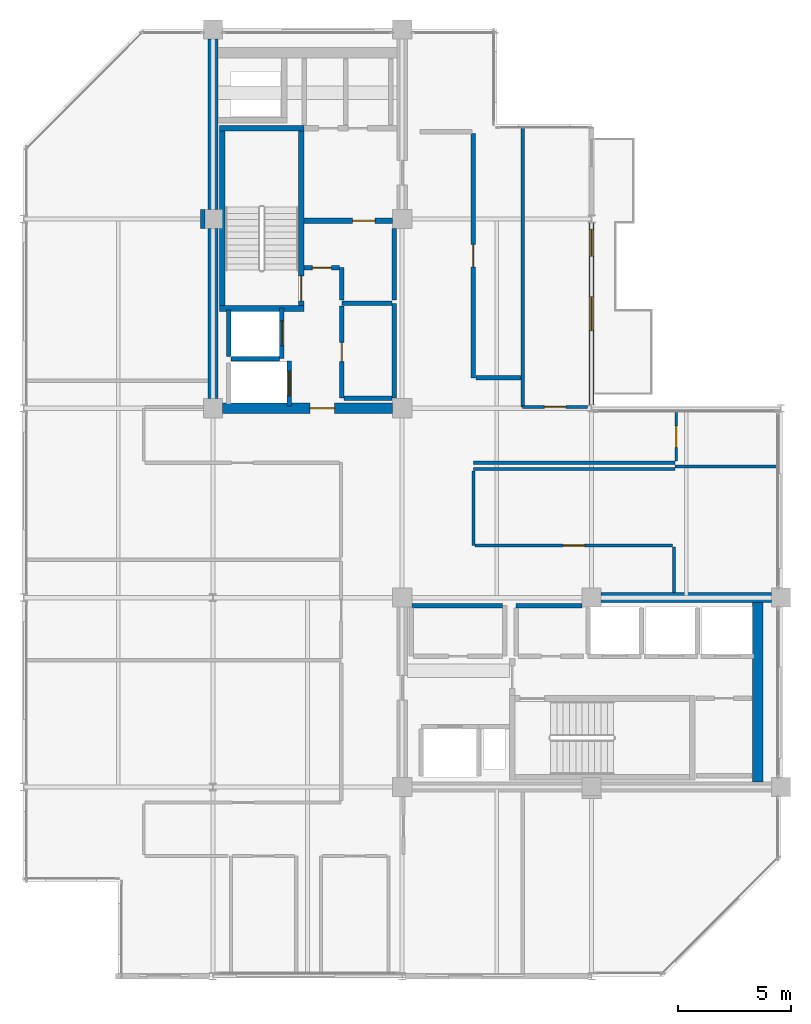
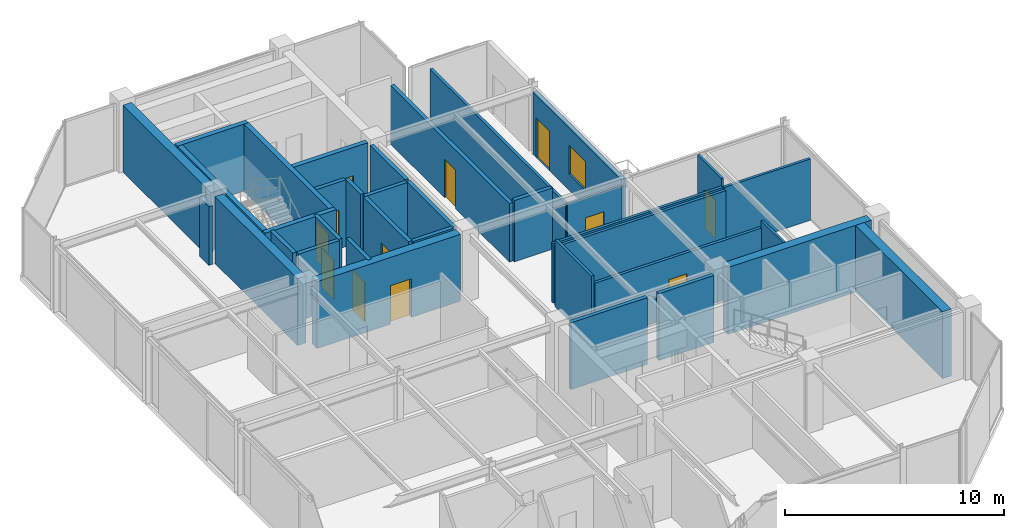
# One storey, part 21 of 24: 36 walls, 12 doors, 1 window, 13 openings.
"""IFC4 building model written with IfcOpenShell, lengths in metres."""

from ifc_helpers import new_model, si_unit, direction, frame, frame_2d, origin, place, context, subcontext, project, spatial, rectangle, extrude, material, layer, layer_set, type_object, element, fill, save


model = new_model("IFC4")

# Units and contexts
model_context = context("Model", 3, precision=1e-05, world=origin(), true_north=direction((0.0, 1.0)))
body_context = subcontext(model_context, "Body", "Model", "MODEL_VIEW")
ifc_project = project(units=[si_unit("LENGTHUNIT", "METRE"), si_unit("AREAUNIT", "SQUARE_METRE"), si_unit("VOLUMEUNIT", "CUBIC_METRE"), si_unit("PLANEANGLEUNIT", "RADIAN"), si_unit("MASSUNIT", "GRAM", prefix="KILO")], contexts=[model_context])

# Site, building, storey
site_placement = place(None, origin())
site = spatial("IfcSite", under=ifc_project, at=site_placement, CompositionType="ELEMENT")
building_placement = place(site_placement, origin())
building = spatial("IfcBuilding", under=site, at=building_placement, Name="Nerrivon Quay Data Exchange", CompositionType="ELEMENT")
storey_placement = place(building_placement, frame((0.0, 0.0, 298.199951171875)))
storey = spatial("IfcBuildingStorey", under=building, at=storey_placement, Name="L71", CompositionType="ELEMENT", Elevation=298.199951171875)

# Wall, openings, door, window
ifc_material_1 = material(Name="Architectural terracotta precast concrete N50 (50 MPa)", Category="masonry")
ifc_layer_1 = layer(ifc_material_1, 0.239990234375)
ifc_layer_set_1 = layer_set([ifc_layer_1], Name="Architectural terracotta precast concrete N50 (50 MPa)")
wall_type_1 = type_object("IfcWallType", Name="EW-PREC-240", PredefinedType="STANDARD", material=ifc_layer_set_1)
wall_1_placement = place(storey_placement, frame((25.199951171875, 33.4365234375, 0.0), z_axis=(0.0, 0.0, 1.0), x_axis=(0.0, -1.0, 0.0)))
wall_1 = element("IfcWall", 1, at=wall_1_placement, inside=storey, type_object=wall_type_1, Name="L71 Terrace Host Wall 20", PredefinedType="STANDARD", context=body_context, shape_type="SweptSolid", body=[
    extrude(rectangle(XDim=8.072998046875, YDim=0.239990234375, at=frame_2d((4.03662109375, 0.0))), origin(), (0.0, 0.0, 1.0), 3.47509765625),
])
opening_1_placement = place(wall_1_placement, frame((0.300048828125, 0.0, 0.0)))
opening_1 = element("IfcOpeningElement", 2, at=opening_1_placement, cuts=wall_1, Name="Opening TD1", PredefinedType="OPENING", context=body_context, shape_type="SweptSolid", body=[
    extrude(rectangle(XDim=1.199951171875, YDim=2.199951171875, at=frame_2d((0.60009765625, 1.10009765625))), frame((0.0, 0.1298828125, 0.0), z_axis=(0.0, -1.0, 0.0), x_axis=(1.0, 0.0, 0.0)), (0.0, 0.0, 1.0), 0.260009765625),
])
opening_2_placement = place(wall_1_placement, frame((3.28662109375, 0.0, 0.89990234375)))
opening_2 = element("IfcOpeningElement", 3, at=opening_2_placement, cuts=wall_1, Name="Opening WN4", PredefinedType="OPENING", context=body_context, shape_type="SweptSolid", body=[
    extrude(rectangle(XDim=1.5, YDim=1.60009765625, at=frame_2d((0.75, 0.800048828125))), frame((0.0, 0.1298828125, 0.0), z_axis=(0.0, -1.0, 0.0), x_axis=(1.0, 0.0, 0.0)), (0.0, 0.0, 1.0), 0.260009765625),
])
ifc_material_2 = material(Name="Double-glazed low-E solar control glass", Category="glass")
door_type_1 = type_object("IfcDoorType", Name="DR-TERR-1200x2200", OperationType="NOTDEFINED", PredefinedType="DOOR", material=ifc_material_2)
door_1_placement = place(opening_1_placement, origin())
door_1 = element("IfcDoor", 4, at=door_1_placement, inside=storey, type_object=door_type_1, Name="L71 Outdoor Terrace Access Door 20", OperationType="SINGLE_SWING_LEFT", OverallHeight=2.199951171875, OverallWidth=1.199951171875, PredefinedType="DOOR", context=body_context, shape_type="SweptSolid", body=[
    extrude(rectangle(XDim=1.199951171875, YDim=2.199951171875, at=frame_2d((0.60009765625, 1.10009765625))), frame((0.0, 0.02490234375, 0.0), z_axis=(0.0, -1.0, 0.0), x_axis=(1.0, 0.0, 0.0)), (0.0, 0.0, 1.0), 0.050048828125),
])
fill(opening_1, door_1)
window_type = type_object("IfcWindowType", Name="WIN-W4-1500x1600", PartitioningType="SINGLE_PANEL", PredefinedType="WINDOW", material=ifc_material_2)
window_placement = place(opening_2_placement, origin())
window = element("IfcWindow", 5, at=window_placement, inside=storey, type_object=window_type, Name="L71 Terrace Side Window 20", OverallHeight=1.60009765625, OverallWidth=1.5, PartitioningType="SINGLE_PANEL", PredefinedType="WINDOW", context=body_context, shape_type="SweptSolid", body=[
    extrude(rectangle(XDim=1.5, YDim=1.60009765625, at=frame_2d((0.75, 0.800048828125))), frame((0.0, 0.030029296875, 0.0), z_axis=(0.0, -1.0, 0.0), x_axis=(1.0, 0.0, 0.0)), (0.0, 0.0, 1.0), 0.06005859375),
])
fill(opening_2, window)

# Walls
ifc_material_3 = material(Name="Concrete N50 (50 MPa)", Category="concrete")
ifc_layer_2 = layer(ifc_material_3, 0.449951171875)
ifc_layer_set_2 = layer_set([ifc_layer_2], Name="Concrete N50 (50 MPa)")
wall_type_2 = type_object("IfcWallType", Name="WALL-CW-550", PredefinedType="SHEAR", material=ifc_layer_set_2)
for number, where, z_axis, x_axis, name in (
    (6, (8.39990234375, 25.625, 0.0), (0.0, 0.0, 1.0), (0.0, 1.0, 0.0), "L71 West Split-Core Shear Wall WCW-W1"),
    (7, (8.39990234375, 34.02490234375, 0.0), (0.0, 0.0, 1.0), (0.0, 1.0, 0.0), "L71 West Split-Core Shear Wall WCW-W2"),
):
    element("IfcWall", number, at=place(storey_placement, frame(where, z_axis=z_axis, x_axis=x_axis)), inside=storey, type_object=wall_type_2, Name=name, PredefinedType="SHEAR", context=body_context, shape_type="SweptSolid", body=[
        extrude(rectangle(XDim=7.550048828125, YDim=0.449951171875, at=frame_2d((3.77490234375, 0.0))), origin(), (0.0, 0.0, 1.0), 3.72509765625),
    ])

# Wall, opening, door
wall_2_placement = place(storey_placement, frame((8.824951171875, 25.199951171875, 0.0), z_axis=(0.0, 0.0, 1.0), x_axis=(1.0, 0.0, 0.0)))
wall_2 = element("IfcWall", 8, at=wall_2_placement, inside=storey, type_object=wall_type_2, Name="L71 West Split-Core Shear Wall WCW-S1", PredefinedType="SHEAR", context=body_context, shape_type="SweptSolid", body=[
    extrude(rectangle(XDim=7.550048828125, YDim=0.449951171875, at=frame_2d((3.77490234375, 0.0))), origin(), (0.0, 0.0, 1.0), 3.72509765625),
])
opening_3_placement = place(wall_2_placement, frame((3.875, 0.0, 0.0)))
opening_3 = element("IfcOpeningElement", 9, at=opening_3_placement, cuts=wall_2, Name="Opening FD-120", PredefinedType="OPENING", context=body_context, shape_type="SweptSolid", body=[
    extrude(rectangle(XDim=1.10009765625, YDim=2.14990234375, at=frame_2d((0.550048828125, 1.074951171875))), frame((0.0, 0.23486328125, 0.0), z_axis=(0.0, -1.0, 0.0), x_axis=(1.0, 0.0, 0.0)), (0.0, 0.0, 1.0), 0.469970703125),
])
ifc_material_4 = material(Name="Powder-coated galvanized steel sheet", Category="steel")
door_type_2 = type_object("IfcDoorType", Name="DR-FD120-1100", OperationType="NOTDEFINED", PredefinedType="DOOR", material=ifc_material_4)
door_2_placement = place(opening_3_placement, origin())
door_2 = element("IfcDoor", 10, at=door_2_placement, inside=storey, type_object=door_type_2, Name="L71 West Core Lobby Fire Door", OperationType="SINGLE_SWING_LEFT", OverallHeight=2.14990234375, OverallWidth=1.10009765625, PredefinedType="DOOR", context=body_context, shape_type="SweptSolid", body=[
    extrude(rectangle(XDim=1.10009765625, YDim=2.14990234375, at=frame_2d((0.550048828125, 1.074951171875))), frame((0.0, 0.02490234375, 0.0), z_axis=(0.0, -1.0, 0.0), x_axis=(1.0, 0.0, 0.0)), (0.0, 0.0, 1.0), 0.050048828125),
])
fill(opening_3, door_2)

# Walls
wall_3_placement = place(storey_placement, frame((32.574951171875, 8.625, 0.0), z_axis=(0.0, 0.0, 1.0), x_axis=(0.0, 1.0, 0.0)))
element("IfcWall", 11, at=wall_3_placement, inside=storey, type_object=wall_type_2, Name="L71 East Split-Core Shear Wall ECW-E1", PredefinedType="SHEAR", context=body_context, shape_type="SweptSolid", body=[
    extrude(rectangle(XDim=7.949951171875, YDim=0.449951171875, at=frame_2d((3.97509765625, 0.0))), origin(), (0.0, 0.0, 1.0), 3.72509765625),
])
wall_4_placement = place(storey_placement, frame((25.625, 16.800048828125, 0.0), z_axis=(0.0, 0.0, 1.0), x_axis=(1.0, 0.0, 0.0)))
element("IfcWall", 12, at=wall_4_placement, inside=storey, type_object=wall_type_2, Name="L71 East Split-Core Shear Wall ECW-N1", PredefinedType="SHEAR", context=body_context, shape_type="SweptSolid", body=[
    extrude(rectangle(XDim=7.550048828125, YDim=0.449951171875, at=frame_2d((3.77490234375, 0.0))), origin(), (0.0, 0.0, 1.0), 3.72509765625),
])

# Wall, opening, door
ifc_material_5 = material(Name="Gypsum plasterboard on cold-formed framing", Category="gypsum")
ifc_layer_3 = layer(ifc_material_5, 0.199951171875)
ifc_layer_set_3 = layer_set([ifc_layer_3], Name="Gypsum plasterboard on cold-formed framing")
wall_type_3 = type_object("IfcWallType", Name="WALL-FW-200", PredefinedType="PARTITIONING", material=ifc_layer_set_3)
wall_5_placement = place(storey_placement, frame((11.449951171875, 27.39990234375, 0.0), z_axis=(0.0, 0.0, 1.0), x_axis=(0.0, 1.0, 0.0)))
wall_5 = element("IfcWall", 13, at=wall_5_placement, inside=storey, type_object=wall_type_3, Name="L71 Lift Front Wall FFL-1", PredefinedType="PARTITIONING", context=body_context, shape_type="SweptSolid", body=[
    extrude(rectangle(XDim=2.25, YDim=0.199951171875, at=frame_2d((1.125, 0.0))), origin(), (0.0, 0.0, 1.0), 3.72509765625),
])
opening_4_placement = place(wall_5_placement, frame((0.574951171875, 0.0, 0.0)))
opening_4 = element("IfcOpeningElement", 14, at=opening_4_placement, cuts=wall_5, Name="Opening LD-120", PredefinedType="OPENING", context=body_context, shape_type="SweptSolid", body=[
    extrude(rectangle(XDim=1.10009765625, YDim=2.199951171875, at=frame_2d((0.550048828125, 1.10009765625))), frame((0.0, 0.10986328125, 0.0), z_axis=(0.0, -1.0, 0.0), x_axis=(1.0, 0.0, 0.0)), (0.0, 0.0, 1.0), 0.219970703125),
])
door_type_3 = type_object("IfcDoorType", Name="DR-LIFT-LD120", OperationType="DOUBLE_DOOR_SLIDING", PredefinedType="DOOR", material=ifc_material_4)
door_3_placement = place(opening_4_placement, origin())
door_3 = element("IfcDoor", 15, at=door_3_placement, inside=storey, type_object=door_type_3, Name="L71 Lift Landing Sliding Door FFL-1", OperationType="DOUBLE_DOOR_SLIDING", OverallHeight=2.199951171875, OverallWidth=1.10009765625, PredefinedType="DOOR", context=body_context, shape_type="SweptSolid", body=[
    extrude(rectangle(XDim=1.10009765625, YDim=2.199951171875, at=frame_2d((0.550048828125, 1.10009765625))), frame((0.0, 0.02490234375, 0.0), z_axis=(0.0, -1.0, 0.0), x_axis=(1.0, 0.0, 0.0)), (0.0, 0.0, 1.0), 0.050048828125),
])
fill(opening_4, door_3)

# Walls
wall_6_placement = place(storey_placement, frame((9.10009765625, 27.5, 0.0), z_axis=(0.0, 0.0, 1.0), x_axis=(0.0, 1.0, 0.0)))
element("IfcWall", 16, at=wall_6_placement, inside=storey, type_object=wall_type_3, Name="L71 Lift Shaft Wall FFL-1 WEST", PredefinedType="PARTITIONING", context=body_context, shape_type="SweptSolid", body=[
    extrude(rectangle(XDim=2.050048828125, YDim=0.199951171875, at=frame_2d((1.02490234375, 0.0))), origin(), (0.0, 0.0, 1.0), 3.72509765625),
])
wall_7_placement = place(storey_placement, frame((9.199951171875, 27.39990234375, 0.0), z_axis=(0.0, 0.0, 1.0), x_axis=(1.0, 0.0, 0.0)))
element("IfcWall", 17, at=wall_7_placement, inside=storey, type_object=wall_type_3, Name="L71 Lift Shaft Wall FFL-1 SOUTH", PredefinedType="PARTITIONING", context=body_context, shape_type="SweptSolid", body=[
    extrude(rectangle(XDim=2.150146484375, YDim=0.199951171875, at=frame_2d((1.0751953125, 0.0))), origin(), (0.0, 0.0, 1.0), 3.72509765625),
])

# Wall, opening, door
wall_8_placement = place(storey_placement, frame((11.800048828125, 25.300048828125, 0.0), z_axis=(0.0, 0.0, 1.0), x_axis=(0.0, 1.0, 0.0)))
wall_8 = element("IfcWall", 18, at=wall_8_placement, inside=storey, type_object=wall_type_3, Name="L71 Lift Front Wall SVL-1", PredefinedType="PARTITIONING", context=body_context, shape_type="SweptSolid", body=[
    extrude(rectangle(XDim=2.0, YDim=0.199951171875, at=frame_2d((1.0, 0.0))), origin(), (0.0, 0.0, 1.0), 3.72509765625),
])
opening_5_placement = place(wall_8_placement, frame((0.449951171875, 0.0, 0.0)))
opening_5 = element("IfcOpeningElement", 19, at=opening_5_placement, cuts=wall_8, Name="Opening LD-120", PredefinedType="OPENING", context=body_context, shape_type="SweptSolid", body=[
    extrude(rectangle(XDim=1.10009765625, YDim=2.199951171875, at=frame_2d((0.550048828125, 1.10009765625))), frame((0.0, 0.10986328125, 0.0), z_axis=(0.0, -1.0, 0.0), x_axis=(1.0, 0.0, 0.0)), (0.0, 0.0, 1.0), 0.219970703125),
])
door_4_placement = place(opening_5_placement, origin())
door_4 = element("IfcDoor", 20, at=door_4_placement, inside=storey, type_object=door_type_3, Name="L71 Lift Landing Sliding Door SVL-1", OperationType="DOUBLE_DOOR_SLIDING", OverallHeight=2.199951171875, OverallWidth=1.10009765625, PredefinedType="DOOR", context=body_context, shape_type="SweptSolid", body=[
    extrude(rectangle(XDim=1.10009765625, YDim=2.199951171875, at=frame_2d((0.550048828125, 1.10009765625))), frame((0.0, 0.02490234375, 0.0), z_axis=(0.0, -1.0, 0.0), x_axis=(1.0, 0.0, 0.0)), (0.0, 0.0, 1.0), 0.050048828125),
])
fill(opening_5, door_4)

# Walls
wall_9_placement = place(storey_placement, frame((16.449951171875, 25.64990234375, 0.0), z_axis=(0.0, 0.0, 1.0), x_axis=(0.0, 1.0, 0.0)))
element("IfcWall", 21, at=wall_9_placement, inside=storey, type_object=wall_type_3, Name="L71 Partition Telemetry Hub Closet", PredefinedType="PARTITIONING", context=body_context, shape_type="SweptSolid", body=[
    extrude(rectangle(XDim=4.2001953125, YDim=0.199951171875, at=frame_2d((2.10009765625, 0.0))), origin(), (0.0, 0.0, 1.0), 3.72509765625),
])
wall_10_placement = place(storey_placement, frame((16.345947265625, 29.85009765625, 0.0), z_axis=(0.0, 0.0, 1.0), x_axis=(-1.0, 0.0, 0.0)))
element("IfcWall", 22, at=wall_10_placement, inside=storey, type_object=wall_type_3, Name="L71 Partition Telemetry Hub Closet", PredefinedType="PARTITIONING", context=body_context, shape_type="SweptSolid", body=[
    extrude(rectangle(XDim=2.225830078125, YDim=0.199951171875, at=frame_2d((1.11279296875, 0.0))), origin(), (0.0, 0.0, 1.0), 3.72509765625),
])

# Wall, opening, door
wall_11_placement = place(storey_placement, frame((14.1201171875, 29.74609375, 0.0), z_axis=(0.0, 0.0, 1.0), x_axis=(0.0, -1.0, 0.0)))
wall_11 = element("IfcWall", 23, at=wall_11_placement, inside=storey, type_object=wall_type_3, Name="L71 Partition Telemetry Hub Closet", PredefinedType="PARTITIONING", context=body_context, shape_type="SweptSolid", body=[
    extrude(rectangle(XDim=4.09619140625, YDim=0.199951171875, at=frame_2d((2.048095703125, 0.0))), origin(), (0.0, 0.0, 1.0), 3.72509765625),
])
opening_6_placement = place(wall_11_placement, frame((1.623046875, 0.0, 0.0)))
opening_6 = element("IfcOpeningElement", 24, at=opening_6_placement, cuts=wall_11, Name="Opening FD-60S", PredefinedType="OPENING", context=body_context, shape_type="SweptSolid", body=[
    extrude(rectangle(XDim=0.85009765625, YDim=2.14990234375, at=frame_2d((0.425048828125, 1.074951171875))), frame((0.0, 0.10986328125, 0.0), z_axis=(0.0, -1.0, 0.0), x_axis=(1.0, 0.0, 0.0)), (0.0, 0.0, 1.0), 0.219970703125),
])
ifc_material_6 = material(Name="Engineered hardwood timber", Category="wood")
door_type_4 = type_object("IfcDoorType", Name="DR-FD60-850", OperationType="NOTDEFINED", PredefinedType="DOOR", material=ifc_material_6)
door_5_placement = place(opening_6_placement, origin())
door_5 = element("IfcDoor", 25, at=door_5_placement, inside=storey, type_object=door_type_4, Name="L71 Door Telemetry Hub Closet", OperationType="SINGLE_SWING_LEFT", OverallHeight=2.14990234375, OverallWidth=0.85009765625, PredefinedType="DOOR", context=body_context, shape_type="SweptSolid", body=[
    extrude(rectangle(XDim=0.85009765625, YDim=2.14990234375, at=frame_2d((0.425048828125, 1.074951171875))), frame((0.0, 0.02490234375, 0.0), z_axis=(0.0, -1.0, 0.0), x_axis=(1.0, 0.0, 0.0)), (0.0, 0.0, 1.0), 0.050048828125),
])
fill(opening_6, door_5)

# Walls
wall_12_placement = place(storey_placement, frame((14.22412109375, 25.64990234375, 0.0), z_axis=(0.0, 0.0, 1.0), x_axis=(1.0, 0.0, 0.0)))
element("IfcWall", 26, at=wall_12_placement, inside=storey, type_object=wall_type_3, Name="L71 Partition Telemetry Hub Closet", PredefinedType="PARTITIONING", context=body_context, shape_type="SweptSolid", body=[
    extrude(rectangle(XDim=2.121826171875, YDim=0.199951171875, at=frame_2d((1.06103515625, 0.0))), origin(), (0.0, 0.0, 1.0), 3.72509765625),
])
wall_13_placement = place(storey_placement, frame((14.1201171875, 31.43994140625, 0.0), z_axis=(0.0, 0.0, 1.0), x_axis=(0.0, -1.0, 0.0)))
element("IfcWall", 27, at=wall_13_placement, inside=storey, type_object=wall_type_3, Name="L71 Partition Core Equipment Store", PredefinedType="PARTITIONING", context=body_context, shape_type="SweptSolid", body=[
    extrude(rectangle(XDim=1.43994140625, YDim=0.199951171875, at=frame_2d((0.719970703125, 0.0))), origin(), (0.0, 0.0, 1.0), 3.72509765625),
])
wall_14_placement = place(storey_placement, frame((16.449951171875, 30.0, 0.0), z_axis=(0.0, 0.0, 1.0), x_axis=(0.0, 1.0, 0.0)))
element("IfcWall", 28, at=wall_14_placement, inside=storey, type_object=wall_type_3, Name="L71 Partition Core Equipment Store", PredefinedType="PARTITIONING", context=body_context, shape_type="SweptSolid", body=[
    extrude(rectangle(XDim=3.169921875, YDim=0.199951171875, at=frame_2d((1.5849609375, 0.0))), origin(), (0.0, 0.0, 1.0), 3.72509765625),
])

# Wall, opening, door
wall_15_placement = place(storey_placement, frame((12.4541015625, 31.43994140625, 0.0), z_axis=(0.0, 0.0, 1.0), x_axis=(1.0, 0.0, 0.0)))
wall_15 = element("IfcWall", 29, at=wall_15_placement, inside=storey, type_object=wall_type_3, Name="L71 Partition Core Equipment Store", PredefinedType="PARTITIONING", context=body_context, shape_type="SweptSolid", body=[
    extrude(rectangle(XDim=1.56201171875, YDim=0.199951171875, at=frame_2d((0.781005859375, 0.0))), origin(), (0.0, 0.0, 1.0), 3.72509765625),
])
opening_7_placement = place(wall_15_placement, frame((0.35595703125, 0.0, 0.0)))
opening_7 = element("IfcOpeningElement", 30, at=opening_7_placement, cuts=wall_15, Name="Opening FD-60S", PredefinedType="OPENING", context=body_context, shape_type="SweptSolid", body=[
    extrude(rectangle(XDim=0.85009765625, YDim=2.14990234375, at=frame_2d((0.425048828125, 1.074951171875))), frame((0.0, 0.10986328125, 0.0), z_axis=(0.0, -1.0, 0.0), x_axis=(1.0, 0.0, 0.0)), (0.0, 0.0, 1.0), 0.219970703125),
])
door_6_placement = place(opening_7_placement, origin())
door_6 = element("IfcDoor", 31, at=door_6_placement, inside=storey, type_object=door_type_4, Name="L71 Door Core Equipment Store", OperationType="SINGLE_SWING_RIGHT", OverallHeight=2.14990234375, OverallWidth=0.85009765625, PredefinedType="DOOR", context=body_context, shape_type="SweptSolid", body=[
    extrude(rectangle(XDim=0.85009765625, YDim=2.14990234375, at=frame_2d((0.425048828125, 1.074951171875))), frame((0.0, 0.02490234375, 0.0), z_axis=(0.0, -1.0, 0.0), x_axis=(1.0, 0.0, 0.0)), (0.0, 0.0, 1.0), 0.050048828125),
])
fill(opening_7, door_6)

# Walls
wall_16_placement = place(storey_placement, frame((21.24609375, 16.449951171875, 0.0), z_axis=(0.0, 0.0, 1.0), x_axis=(-1.0, 0.0, 0.0)))
element("IfcWall", 32, at=wall_16_placement, inside=storey, type_object=wall_type_3, Name="L71 Partition High-Zone Optical Closet", PredefinedType="PARTITIONING", context=body_context, shape_type="SweptSolid", body=[
    extrude(rectangle(XDim=4.01611328125, YDim=0.199951171875, at=frame_2d((2.008056640625, 0.0))), origin(), (0.0, 0.0, 1.0), 3.72509765625),
])
wall_17_placement = place(storey_placement, frame((24.77001953125, 16.449951171875, 0.0), z_axis=(0.0, 0.0, 1.0), x_axis=(-1.0, 0.0, 0.0)))
element("IfcWall", 33, at=wall_17_placement, inside=storey, type_object=wall_type_3, Name="L71 Partition High-Zone Supply Store", PredefinedType="PARTITIONING", context=body_context, shape_type="SweptSolid", body=[
    extrude(rectangle(XDim=2.919921875, YDim=0.199951171875, at=frame_2d((1.4599609375, 0.0))), origin(), (0.0, 0.0, 1.0), 3.72509765625),
])

# Wall, opening, door
wall_18_placement = place(storey_placement, frame((19.9599609375, 37.39990234375, 0.0), z_axis=(0.0, 0.0, 1.0), x_axis=(0.0, -1.0, 0.0)))
wall_18 = element("IfcWall", 34, at=wall_18_placement, inside=storey, type_object=wall_type_3, Name="L71 Partition Colocation Data Workspace 1", PredefinedType="PARTITIONING", context=body_context, shape_type="SweptSolid", body=[
    extrude(rectangle(XDim=10.85498046875, YDim=0.199951171875, at=frame_2d((5.427490234375, 0.0))), origin(), (0.0, 0.0, 1.0), 3.27099609375),
])
opening_8_placement = place(wall_18_placement, frame((4.927490234375, 0.0, 0.0)))
opening_8 = element("IfcOpeningElement", 35, at=opening_8_placement, cuts=wall_18, Name="Opening FD-60", PredefinedType="OPENING", context=body_context, shape_type="SweptSolid", body=[
    extrude(rectangle(XDim=1.0, YDim=2.14990234375, at=frame_2d((0.5, 1.074951171875))), frame((0.0, 0.10986328125, 0.0), z_axis=(0.0, -1.0, 0.0), x_axis=(1.0, 0.0, 0.0)), (0.0, 0.0, 1.0), 0.219970703125),
])
door_type_5 = type_object("IfcDoorType", Name="DR-FD60-1000", OperationType="NOTDEFINED", PredefinedType="DOOR", material=ifc_material_6)
door_7_placement = place(opening_8_placement, origin())
door_7 = element("IfcDoor", 36, at=door_7_placement, inside=storey, type_object=door_type_5, Name="L71 Door Colocation Data Workspace 1", OperationType="SINGLE_SWING_LEFT", OverallHeight=2.14990234375, OverallWidth=1.0, PredefinedType="DOOR", context=body_context, shape_type="SweptSolid", body=[
    extrude(rectangle(XDim=1.0, YDim=2.14990234375, at=frame_2d((0.5, 1.074951171875))), frame((0.0, 0.02490234375, 0.0), z_axis=(0.0, -1.0, 0.0), x_axis=(1.0, 0.0, 0.0)), (0.0, 0.0, 1.0), 0.050048828125),
])
fill(opening_8, door_7)

# Walls
wall_19_placement = place(storey_placement, frame((20.06396484375, 26.544921875, 0.0), z_axis=(0.0, 0.0, 1.0), x_axis=(1.0, 0.0, 0.0)))
element("IfcWall", 37, at=wall_19_placement, inside=storey, type_object=wall_type_3, Name="L71 Partition Colocation Data Workspace 1", PredefinedType="PARTITIONING", context=body_context, shape_type="SweptSolid", body=[
    extrude(rectangle(XDim=2.0009765625, YDim=0.199951171875, at=frame_2d((1.00048828125, 0.0))), origin(), (0.0, 0.0, 1.0), 3.421142578125),
])
wall_20_placement = place(storey_placement, frame((7.955810546875, 33.169189453125, 0.0), z_axis=(0.0, 0.0, 1.0), x_axis=(-0.000855919801, 0.999999633701, 0.0)))
element("IfcWall", 38, at=wall_20_placement, inside=storey, type_object=wall_type_3, Name="L71 Partition Colocation Data Workspace 1", PredefinedType="PARTITIONING", context=body_context, shape_type="SweptSolid", body=[
    extrude(rectangle(XDim=0.855712890625, YDim=0.199951171875, at=frame_2d((0.427734375, 0.0))), origin(), (0.0, 0.0, 1.0), 3.27099609375),
])

# Wall, opening, door
ifc_layer_4 = layer(ifc_material_5, 0.1201171875)
ifc_layer_set_4 = layer_set([ifc_layer_4], Name="Gypsum plasterboard on cold-formed framing")
wall_type_4 = type_object("IfcWallType", Name="WALL-PT-120", PredefinedType="PARTITIONING", material=ifc_layer_set_4)
wall_21_placement = place(storey_placement, frame((28.9599609375, 25.031005859375, 0.0), z_axis=(0.0, 0.0, 1.0), x_axis=(0.0, -1.0, 0.0)))
wall_21 = element("IfcWall", 39, at=wall_21_placement, inside=storey, type_object=wall_type_4, Name="L71 Partition Shared Breakout Kitchenette", PredefinedType="PARTITIONING", context=body_context, shape_type="SweptSolid", body=[
    extrude(rectangle(XDim=2.180908203125, YDim=0.1201171875, at=frame_2d((1.09033203125, 0.0))), origin(), (0.0, 0.0, 1.0), 3.72509765625),
])
opening_9_placement = place(wall_21_placement, frame((0.615478515625, 0.0, 0.0)))
opening_9 = element("IfcOpeningElement", 40, at=opening_9_placement, cuts=wall_21, Name="Opening D-01", PredefinedType="OPENING", context=body_context, shape_type="SweptSolid", body=[
    extrude(rectangle(XDim=0.949951171875, YDim=2.14990234375, at=frame_2d((0.47509765625, 1.074951171875))), frame((0.0, 0.070068359375, 0.0), z_axis=(0.0, -1.0, 0.0), x_axis=(1.0, 0.0, 0.0)), (0.0, 0.0, 1.0), 0.14013671875),
])
door_type_6 = type_object("IfcDoorType", Name="DR-INT-950", OperationType="NOTDEFINED", PredefinedType="DOOR", material=ifc_material_6)
door_8_placement = place(opening_9_placement, origin())
door_8 = element("IfcDoor", 41, at=door_8_placement, inside=storey, type_object=door_type_6, Name="L71 Door Shared Breakout Kitchenette", OperationType="SINGLE_SWING_LEFT", OverallHeight=2.14990234375, OverallWidth=0.949951171875, PredefinedType="DOOR", context=body_context, shape_type="SweptSolid", body=[
    extrude(rectangle(XDim=0.949951171875, YDim=2.14990234375, at=frame_2d((0.47509765625, 1.074951171875))), frame((0.0, 0.02490234375, 0.0), z_axis=(0.0, -1.0, 0.0), x_axis=(1.0, 0.0, 0.0)), (0.0, 0.0, 1.0), 0.050048828125),
])
fill(opening_9, door_8)

wall_22_placement = place(storey_placement, frame((22.14404296875, 25.260009765625, 0.0), z_axis=(0.0, 0.0, 1.0), x_axis=(0.999999996408, -8.4760129e-05, 0.0)))
wall_22 = element("IfcWall", 42, at=wall_22_placement, inside=storey, type_object=wall_type_4, Name="L71 Partition Shared Breakout Kitchenette", PredefinedType="PARTITIONING", context=body_context, shape_type="SweptSolid", body=[
    extrude(rectangle(XDim=2.88037109375, YDim=0.1201171875, at=frame_2d((1.440185546875, 0.0))), origin(), (0.0, 0.0, 1.0), 3.27099609375),
])
opening_10_placement = place(wall_22_placement, frame((0.96533203125, 0.0, 0.0)))
opening_10 = element("IfcOpeningElement", 43, at=opening_10_placement, cuts=wall_22, Name="Opening D-01", PredefinedType="OPENING", context=body_context, shape_type="SweptSolid", body=[
    extrude(rectangle(XDim=0.949951171875, YDim=2.14990234375, at=frame_2d((0.47509765625, 1.074951171875))), frame((0.0, 0.070068359375, 0.0), z_axis=(0.0, -1.0, 0.0), x_axis=(1.0, 0.0, 0.0)), (0.0, 0.0, 1.0), 0.14013671875),
])
door_9_placement = place(opening_10_placement, origin())
door_9 = element("IfcDoor", 44, at=door_9_placement, inside=storey, type_object=door_type_6, Name="L71 Door Shared Breakout Kitchenette", OperationType="SINGLE_SWING_RIGHT", OverallHeight=2.14990234375, OverallWidth=0.949951171875, PredefinedType="DOOR", context=body_context, shape_type="SweptSolid", body=[
    extrude(rectangle(XDim=0.949951171875, YDim=2.14990234375, at=frame_2d((0.47509765625, 1.074951171875))), frame((0.0, 0.02490234375, 0.0), z_axis=(0.0, -1.0, 0.0), x_axis=(1.0, 0.0, 0.0)), (0.0, 0.0, 1.0), 0.050048828125),
])
fill(opening_10, door_9)

# Walls
wall_23_placement = place(storey_placement, frame((28.860107421875, 19.050048828125, 0.0), z_axis=(0.0, 0.0, 1.0), x_axis=(0.0, -1.0, 0.0)))
element("IfcWall", 45, at=wall_23_placement, inside=storey, type_object=wall_type_4, Name="L71 Partition Technical Library", PredefinedType="PARTITIONING", context=body_context, shape_type="SweptSolid", body=[
    extrude(rectangle(XDim=2.02099609375, YDim=0.1201171875, at=frame_2d((1.010498046875, 0.0))), origin(), (0.0, 0.0, 1.0), 3.72509765625),
])
ifc_layer_5 = layer(ifc_material_5, 0.135009765625)
ifc_layer_set_5 = layer_set([ifc_layer_5], Name="Gypsum plasterboard on cold-formed framing")
wall_type_5 = type_object("IfcWallType", Name="WALL-PT-135", PredefinedType="PARTITIONING", material=ifc_layer_set_5)
wall_24_placement = place(storey_placement, frame((28.89990234375, 22.625732421875, 0.0), z_axis=(0.0, 0.0, 1.0), x_axis=(1.0, 0.0, 0.0)))
element("IfcWall", 46, at=wall_24_placement, inside=storey, type_object=wall_type_5, Name="L71 Partition Shared Breakout Kitchenette", PredefinedType="PARTITIONING", context=body_context, shape_type="SweptSolid", body=[
    extrude(rectangle(XDim=4.531005859375, YDim=0.135009765625, at=frame_2d((2.265625, 0.0))), origin(), (0.0, 0.0, 1.0), 3.421142578125),
])
wall_25_placement = place(storey_placement, frame((19.9599609375, 22.4267578125, 0.0), z_axis=(0.0, 0.0, 1.0), x_axis=(0.0, -1.0, 0.0)))
element("IfcWall", 47, at=wall_25_placement, inside=storey, type_object=wall_type_5, Name="L71 Partition Technical Library", PredefinedType="PARTITIONING", context=body_context, shape_type="SweptSolid", body=[
    extrude(rectangle(XDim=3.316650390625, YDim=0.135009765625, at=frame_2d((1.658203125, 0.0))), origin(), (0.0, 0.0, 1.0), 3.72509765625),
])
ifc_layer_6 = layer(ifc_material_5, 0.14990234375)
ifc_layer_set_6 = layer_set([ifc_layer_6], Name="Gypsum plasterboard on cold-formed framing")
wall_type_6 = type_object("IfcWallType", Name="WALL-PT-150", PredefinedType="PARTITIONING", material=ifc_layer_set_6)
wall_26_placement = place(storey_placement, frame((28.89990234375, 22.7900390625, 0.0), z_axis=(0.0, 0.0, 1.0), x_axis=(-1.0, 0.0, 0.0)))
element("IfcWall", 48, at=wall_26_placement, inside=storey, type_object=wall_type_6, Name="L71 Partition Shared Breakout Kitchenette", PredefinedType="PARTITIONING", context=body_context, shape_type="SweptSolid", body=[
    extrude(rectangle(XDim=8.93994140625, YDim=0.14990234375, at=frame_2d((4.469970703125, 0.0))), origin(), (0.0, 0.0, 1.0), 3.319091796875),
])
wall_27_placement = place(storey_placement, frame((22.14404296875, 37.631103515625, 0.0), z_axis=(0.0, 0.0, 1.0), x_axis=(0.0, -1.0, 0.0)))
element("IfcWall", 49, at=wall_27_placement, inside=storey, type_object=wall_type_6, Name="L71 Partition Shared Breakout Kitchenette", PredefinedType="PARTITIONING", context=body_context, shape_type="SweptSolid", body=[
    extrude(rectangle(XDim=12.37109375, YDim=0.14990234375, at=frame_2d((6.185546875, 0.0))), origin(), (0.0, 0.0, 1.0), 3.27099609375),
])
wall_28_placement = place(storey_placement, frame((28.89990234375, 22.505615234375, 0.0), z_axis=(0.0, 0.0, 1.0), x_axis=(-1.0, 0.0, 0.0)))
element("IfcWall", 50, at=wall_28_placement, inside=storey, type_object=wall_type_6, Name="L71 Partition Technical Library", PredefinedType="PARTITIONING", context=body_context, shape_type="SweptSolid", body=[
    extrude(rectangle(XDim=8.93994140625, YDim=0.14990234375, at=frame_2d((4.469970703125, 0.0))), origin(), (0.0, 0.0, 1.0), 3.319091796875),
])

# Wall, opening, door
wall_29_placement = place(storey_placement, frame((20.031494140625, 19.110107421875, 0.0), z_axis=(0.0, 0.0, 1.0), x_axis=(1.0, 0.0, 0.0)))
wall_29 = element("IfcWall", 51, at=wall_29_placement, inside=storey, type_object=wall_type_6, Name="L71 Partition Technical Library", PredefinedType="PARTITIONING", context=body_context, shape_type="SweptSolid", body=[
    extrude(rectangle(XDim=8.7685546875, YDim=0.14990234375, at=frame_2d((4.38427734375, 0.0))), origin(), (0.0, 0.0, 1.0), 3.319091796875),
])
opening_11_placement = place(wall_29_placement, frame((3.9091796875, 0.0, 0.0)))
opening_11 = element("IfcOpeningElement", 52, at=opening_11_placement, cuts=wall_29, Name="Opening D-01", PredefinedType="OPENING", context=body_context, shape_type="SweptSolid", body=[
    extrude(rectangle(XDim=0.949951171875, YDim=2.14990234375, at=frame_2d((0.47509765625, 1.074951171875))), frame((0.0, 0.0849609375, 0.0), z_axis=(0.0, -1.0, 0.0), x_axis=(1.0, 0.0, 0.0)), (0.0, 0.0, 1.0), 0.169921875),
])
door_10_placement = place(opening_11_placement, origin())
door_10 = element("IfcDoor", 53, at=door_10_placement, inside=storey, type_object=door_type_6, Name="L71 Door Technical Library", OperationType="SINGLE_SWING_RIGHT", OverallHeight=2.14990234375, OverallWidth=0.949951171875, PredefinedType="DOOR", context=body_context, shape_type="SweptSolid", body=[
    extrude(rectangle(XDim=0.949951171875, YDim=2.14990234375, at=frame_2d((0.47509765625, 1.074951171875))), frame((0.0, 0.02490234375, 0.0), z_axis=(0.0, -1.0, 0.0), x_axis=(1.0, 0.0, 0.0)), (0.0, 0.0, 1.0), 0.050048828125),
])
fill(opening_11, door_10)

# Walls
ifc_layer_7 = layer(ifc_material_3, 0.25)
ifc_layer_set_7 = layer_set([ifc_layer_7], Name="Concrete N50 (50 MPa)")
wall_type_7 = type_object("IfcWallType", Name="WALL-SW-250", PredefinedType="SHEAR", material=ifc_layer_set_7)
for number, where, z_axis, x_axis, name in (
    (54, (12.449951171875, 29.625, 0.0), (0.0, 0.0, 1.0), (-1.0, 0.0, 0.0), "L71 ST01 Structural Stair Core Wall NEAR"),
    (55, (12.449951171875, 37.625, 0.0), (0.0, 0.0, 1.0), (-1.0, 0.0, 0.0), "L71 ST01 Structural Stair Core Wall FAR"),
):
    element("IfcWall", number, at=place(storey_placement, frame(where, z_axis=z_axis, x_axis=x_axis)), inside=storey, type_object=wall_type_7, Name=name, PredefinedType="SHEAR", context=body_context, shape_type="SweptSolid", body=[
        extrude(rectangle(XDim=3.75, YDim=0.25, at=frame_2d((1.875, 0.0))), origin(), (0.0, 0.0, 1.0), 3.72509765625),
    ])

# Wall, opening, door
wall_30_placement = place(storey_placement, frame((12.324951171875, 29.75, 0.0), z_axis=(0.0, 0.0, 1.0), x_axis=(0.0, 1.0, 0.0)))
wall_30 = element("IfcWall", 56, at=wall_30_placement, inside=storey, type_object=wall_type_7, Name="L71 ST01 Structural Stair Core Wall LEFT", PredefinedType="SHEAR", context=body_context, shape_type="SweptSolid", body=[
    extrude(rectangle(XDim=7.75, YDim=0.25, at=frame_2d((3.875, 0.0))), origin(), (0.0, 0.0, 1.0), 3.72509765625),
])
opening_12_placement = place(wall_30_placement, frame((0.219970703125, 0.0, 0.0)))
opening_12 = element("IfcOpeningElement", 57, at=opening_12_placement, cuts=wall_30, Name="Opening FD-120", PredefinedType="OPENING", context=body_context, shape_type="SweptSolid", body=[
    extrude(rectangle(XDim=1.10009765625, YDim=2.14990234375, at=frame_2d((0.550048828125, 1.074951171875))), frame((0.0, 0.135009765625, 0.0), z_axis=(0.0, -1.0, 0.0), x_axis=(1.0, 0.0, 0.0)), (0.0, 0.0, 1.0), 0.27001953125),
])
door_11_placement = place(opening_12_placement, origin())
door_11 = element("IfcDoor", 58, at=door_11_placement, inside=storey, type_object=door_type_2, Name="L71 Protected Stair Door ST01", OperationType="SINGLE_SWING_LEFT", OverallHeight=2.14990234375, OverallWidth=1.10009765625, PredefinedType="DOOR", context=body_context, shape_type="SweptSolid", body=[
    extrude(rectangle(XDim=1.10009765625, YDim=2.14990234375, at=frame_2d((0.550048828125, 1.074951171875))), frame((0.0, 0.02490234375, 0.0), z_axis=(0.0, -1.0, 0.0), x_axis=(1.0, 0.0, 0.0)), (0.0, 0.0, 1.0), 0.050048828125),
])
fill(opening_12, door_11)

# Wall
wall_31_placement = place(storey_placement, frame((8.824951171875, 29.75, 0.0), z_axis=(0.0, 0.0, 1.0), x_axis=(0.0, 1.0, 0.0)))
element("IfcWall", 59, at=wall_31_placement, inside=storey, type_object=wall_type_7, Name="L71 ST01 Structural Stair Core Wall RIGHT", PredefinedType="SHEAR", context=body_context, shape_type="SweptSolid", body=[
    extrude(rectangle(XDim=7.75, YDim=0.25, at=frame_2d((3.875, 0.0))), origin(), (0.0, 0.0, 1.0), 3.72509765625),
])

# Wall, opening, door
wall_32_placement = place(storey_placement, frame((12.449951171875, 33.52001953125, 0.0), z_axis=(0.0, 0.0, 1.0), x_axis=(1.0, 0.0, 0.0)))
wall_32 = element("IfcWall", 60, at=wall_32_placement, inside=storey, type_object=wall_type_7, Name="L71 West Lobby Smoke-Stop Wall", PredefinedType="SHEAR", context=body_context, shape_type="SweptSolid", body=[
    extrude(rectangle(XDim=3.925048828125, YDim=0.25, at=frame_2d((1.96240234375, 0.0))), origin(), (0.0, 0.0, 1.0), 3.72509765625),
])
opening_13_placement = place(wall_32_placement, frame((2.14990234375, 0.0, 0.0)))
opening_13 = element("IfcOpeningElement", 61, at=opening_13_placement, cuts=wall_32, Name="Opening FD-60", PredefinedType="OPENING", context=body_context, shape_type="SweptSolid", body=[
    extrude(rectangle(XDim=1.0, YDim=2.14990234375, at=frame_2d((0.5, 1.074951171875))), frame((0.0, 0.135009765625, 0.0), z_axis=(0.0, -1.0, 0.0), x_axis=(1.0, 0.0, 0.0)), (0.0, 0.0, 1.0), 0.27001953125),
])
door_12_placement = place(opening_13_placement, origin())
door_12 = element("IfcDoor", 62, at=door_12_placement, inside=storey, type_object=door_type_5, Name="L71 West Firefighting Lobby Fire Door", OperationType="SINGLE_SWING_LEFT", OverallHeight=2.14990234375, OverallWidth=1.0, PredefinedType="DOOR", context=body_context, shape_type="SweptSolid", body=[
    extrude(rectangle(XDim=1.0, YDim=2.14990234375, at=frame_2d((0.5, 1.074951171875))), frame((0.0, 0.02490234375, 0.0), z_axis=(0.0, -1.0, 0.0), x_axis=(1.0, 0.0, 0.0)), (0.0, 0.0, 1.0), 0.050048828125),
])
fill(opening_13, door_12)

save(model, "model.ifc")
